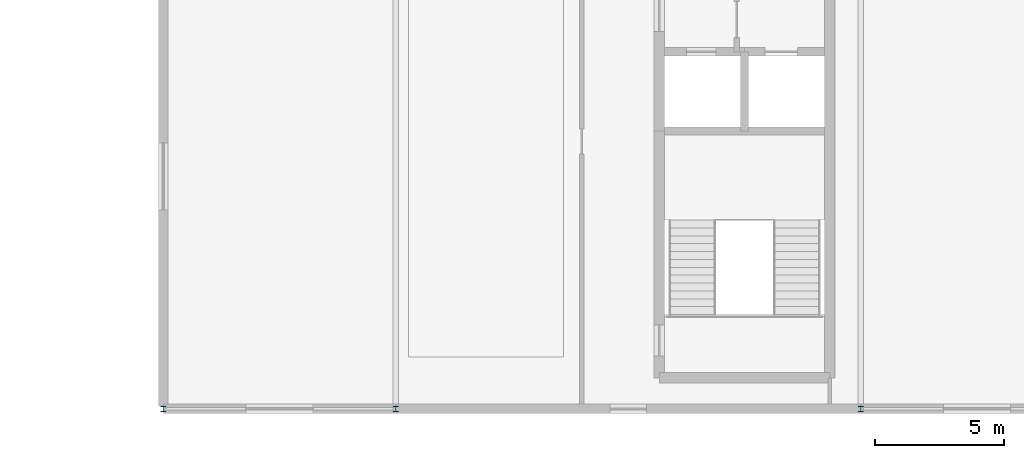
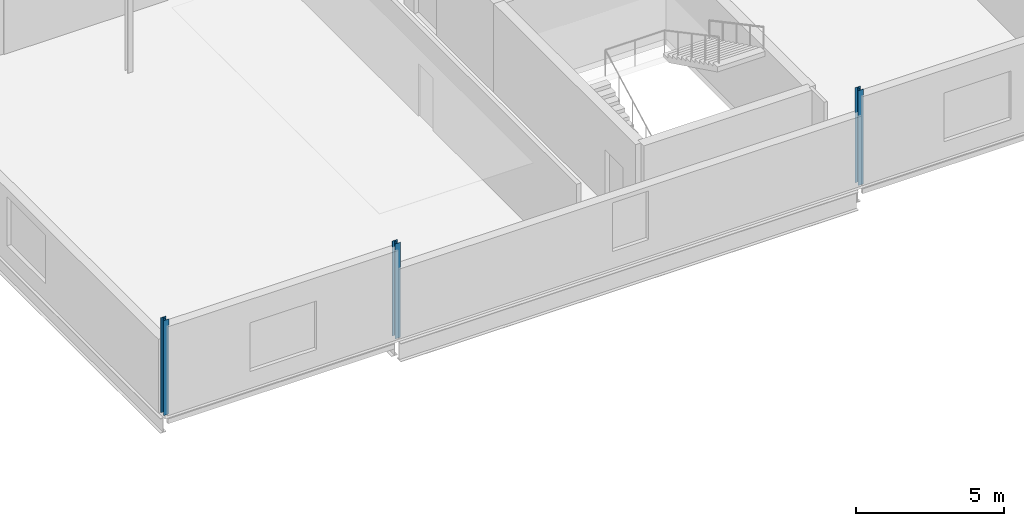
# One storey, part 9 of 35: 3 columns.
"""IFC4 building model written with IfcOpenShell, lengths in metres."""

from ifc_helpers import new_model, si_unit, direction, frame, origin, origin_2d, place, context, subcontext, project, spatial, i_section, extrude, material, material_profile, profile_set, type_object, element, save


model = new_model("IFC4")

# Units and contexts
model_context = context("Model", 3, precision=1e-05, world=origin(), true_north=direction((0.0, 1.0)))
body_context = subcontext(model_context, "Body", "Model", "MODEL_VIEW")
ifc_project = project(units=[si_unit("LENGTHUNIT", "METRE"), si_unit("AREAUNIT", "SQUARE_METRE"), si_unit("VOLUMEUNIT", "CUBIC_METRE"), si_unit("PLANEANGLEUNIT", "RADIAN"), si_unit("MASSUNIT", "GRAM", prefix="KILO")], contexts=[model_context])

# Site, building, storey
site_placement = place(None, origin())
site = spatial("IfcSite", under=ifc_project, at=site_placement, CompositionType="ELEMENT")
building_placement = place(site_placement, origin())
building = spatial("IfcBuilding", under=site, at=building_placement, Name="Kisiwana Market Hall", CompositionType="ELEMENT")
storey_placement = place(building_placement, frame((0.0, 0.0, 61.800048828125)))
storey = spatial("IfcBuildingStorey", under=building, at=storey_placement, Name="L14", CompositionType="ELEMENT", Elevation=61.800048828125)

# Columns
ifc_material = material(Name="Steel S355", Category="steel")
ifc_material_profile = material_profile(ifc_material, i_section(OverallWidth=0.205810546875, OverallDepth=0.209716796875, WebThickness=0.009521484375, FlangeThickness=0.01416015625, FilletRadius=0.01025390625, at=origin_2d()), Name="UC 203x203x60")
ifc_profile_set = profile_set([ifc_material_profile], Name="Steel S355")
column_type = type_object("IfcColumnType", Name="COL-STL-UC060", PredefinedType="COLUMN", material=ifc_profile_set)
for number, where, z_axis, x_axis, name in (
    (1, (162.0, 18.0, 0.0), (0.0, 0.0, 1.0), (1.0, 0.0, 0.0), "Column C/19 (L14) C-1460"),
    (2, (171.0, 18.0, 0.0), (0.0, 0.0, 1.0), (1.0, 0.0, 0.0), "Column C/20 (L14) C-1464"),
    (3, (189.0, 18.0, 0.0), (0.0, 0.0, 1.0), (1.0, 0.0, 0.0), "Column C/22 (L14) C-1469"),
):
    element("IfcColumn", number, at=place(storey_placement, frame(where, z_axis=z_axis, x_axis=x_axis)), inside=storey, type_object=column_type, Name=name, PredefinedType="COLUMN", context=body_context, shape_type="SweptSolid", body=[
        extrude(i_section(OverallWidth=0.205810546875, OverallDepth=0.209716796875, WebThickness=0.009521484375, FlangeThickness=0.01416015625, FilletRadius=0.01025390625, at=origin_2d()), origin(), (0.0, 0.0, 1.0), 3.89990234375),
    ])

save(model, "model.ifc")
